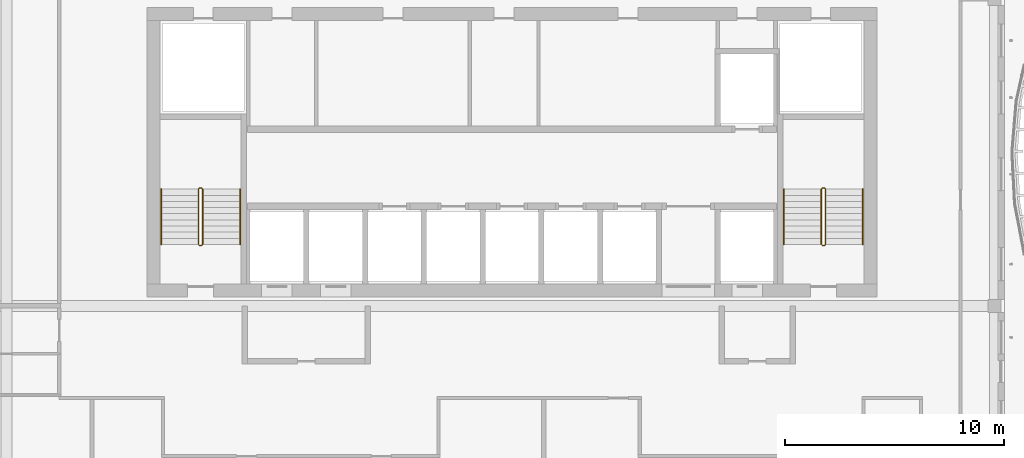
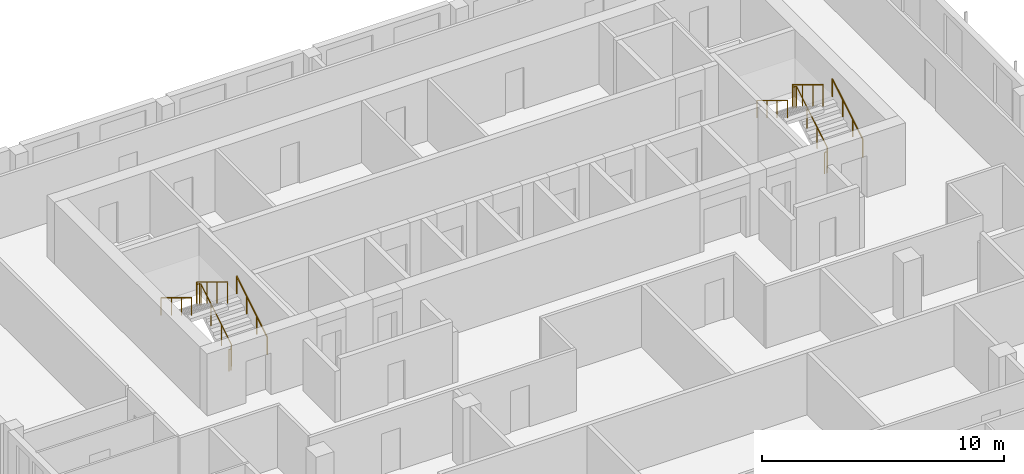
# One storey, part 16 of 17: 6 railings.
"""IFC4 building model written with IfcOpenShell, lengths in metres."""

from ifc_helpers import new_model, si_unit, direction, frame, origin, origin_2d, place, context, subcontext, project, spatial, circle, extrude, material, type_object, element, save


model = new_model("IFC4")

# Units and contexts
model_context = context("Model", 3, precision=1e-05, world=origin(), true_north=direction((0.0, 1.0)))
body_context = subcontext(model_context, "Body", "Model", "MODEL_VIEW")
ifc_project = project(units=[si_unit("LENGTHUNIT", "METRE"), si_unit("AREAUNIT", "SQUARE_METRE"), si_unit("VOLUMEUNIT", "CUBIC_METRE"), si_unit("PLANEANGLEUNIT", "RADIAN"), si_unit("MASSUNIT", "GRAM", prefix="KILO")], contexts=[model_context])

# Site, building, storey
site_placement = place(None, origin())
site = spatial("IfcSite", under=ifc_project, at=site_placement, CompositionType="ELEMENT")
building_placement = place(site_placement, origin())
building = spatial("IfcBuilding", under=site, at=building_placement, Name="Kilnfold Tower and Market Hall", CompositionType="ELEMENT")
storey_placement = place(building_placement, frame((0.0, 0.0, 308.60009765625)))
storey = spatial("IfcBuildingStorey", under=building, at=storey_placement, Name="L77", CompositionType="ELEMENT", Elevation=308.60009765625)

# Railings
ifc_material_1 = material(Name="Stainless steel 316", Category="steel")
railing_type_1 = type_object("IfcRailingType", Name="CORE STAIR GUARD 1100", PredefinedType="GUARDRAIL", material=ifc_material_1)
railing_1_placement = place(storey_placement, frame((-13.199951171875, 10.75, 0.0)))
element("IfcRailing", 1, at=railing_1_placement, inside=storey, type_object=railing_type_1, Name="L77 ST1 stair guard 1", PredefinedType="GUARDRAIL", context=body_context, shape_type="SweptSolid", body=[
    extrude(circle(Radius=0.02392578125, at=origin_2d()), frame((0.0, 0.0, 1.076171875), z_axis=(1.0, 0.0, 0.0), x_axis=(0.0, 1.0, 0.0)), (0.0, 0.0, 1.0), 0.099853515625),
    extrude(circle(Radius=0.02392578125, at=origin_2d()), frame((0.099853515625, 0.0, 1.076171875), z_axis=(0.271895245746, 0.271895245746, 0.923117517265), x_axis=(-0.707106781187, 0.707106781187, 0.0)), (0.0, 0.0, 1.0), 0.18408203125),
    extrude(circle(Radius=0.02392578125, at=origin_2d()), frame((0.14990234375, 0.050048828125, 1.24609375), z_axis=(0.0, 0.85478489116, 0.518982456201), x_axis=(-1.0, 0.0, 0.0)), (0.0, 0.0, 1.0), 2.9482421875),
    extrude(circle(Radius=0.02392578125, at=origin_2d()), frame((0.14990234375, 2.570068359375, 2.77587890625), z_axis=(-0.707106781187, 0.707106781187, 0.0), x_axis=(-0.707106781187, -0.707106781187, 0.0)), (0.0, 0.0, 1.0), 0.07080078125),
    extrude(circle(Radius=0.02392578125, at=origin_2d()), frame((0.099853515625, 2.6201171875, 2.77587890625), z_axis=(-1.0, 0.0, 0.0), x_axis=(0.0, -1.0, 0.0)), (0.0, 0.0, 1.0), 0.099853515625),
    extrude(circle(Radius=0.02392578125, at=origin_2d()), frame((0.0, 2.6201171875, 2.77587890625), z_axis=(-0.271895245746, -0.271895245746, 0.923117517265), x_axis=(0.707106781187, -0.707106781187, 0.0)), (0.0, 0.0, 1.0), 0.18408203125),
    extrude(circle(Radius=0.02392578125, at=origin_2d()), frame((-0.050048828125, 2.570068359375, 2.94580078125), z_axis=(0.0, -0.85478489116, 0.518982456201), x_axis=(1.0, 0.0, 0.0)), (0.0, 0.0, 1.0), 2.9482421875),
    extrude(circle(Radius=0.02099609375, at=origin_2d()), origin(), (0.0, 0.0, 1.0), 1.052001953125),
    extrude(circle(Radius=0.02099609375, at=origin_2d()), frame((0.099853515625, 0.0, 0.0)), (0.0, 0.0, 1.0), 1.052001953125),
    extrude(circle(Radius=0.02099609375, at=origin_2d()), frame((0.14990234375, 0.050048828125, 0.169921875)), (0.0, 0.0, 1.0), 1.052001953125),
    extrude(circle(Radius=0.02099609375, at=origin_2d()), frame((0.14990234375, 0.89013671875, 0.679931640625)), (0.0, 0.0, 1.0), 1.052001953125),
    extrude(circle(Radius=0.02099609375, at=origin_2d()), frame((0.14990234375, 1.72998046875, 1.18994140625)), (0.0, 0.0, 1.0), 1.052001953125),
    extrude(circle(Radius=0.02099609375, at=origin_2d()), frame((0.14990234375, 2.570068359375, 1.699951171875)), (0.0, 0.0, 1.0), 1.052001953125),
    extrude(circle(Radius=0.02099609375, at=origin_2d()), frame((0.099853515625, 2.6201171875, 1.699951171875)), (0.0, 0.0, 1.0), 1.052001953125),
    extrude(circle(Radius=0.02099609375, at=origin_2d()), frame((0.0, 2.6201171875, 1.699951171875)), (0.0, 0.0, 1.0), 1.052001953125),
    extrude(circle(Radius=0.02099609375, at=origin_2d()), frame((-0.050048828125, 2.570068359375, 1.869873046875)), (0.0, 0.0, 1.0), 1.052001953125),
    extrude(circle(Radius=0.02099609375, at=origin_2d()), frame((-0.050048828125, 1.72998046875, 2.3798828125)), (0.0, 0.0, 1.0), 1.052001953125),
    extrude(circle(Radius=0.02099609375, at=origin_2d()), frame((-0.050048828125, 0.89013671875, 2.889892578125)), (0.0, 0.0, 1.0), 1.052001953125),
    extrude(circle(Radius=0.02099609375, at=origin_2d()), frame((-0.050048828125, 0.050048828125, 3.39990234375)), (0.0, 0.0, 1.0), 1.052001953125),
])
railing_2_placement = place(storey_placement, frame((15.199951171875, 10.75, 0.0)))
element("IfcRailing", 2, at=railing_2_placement, inside=storey, type_object=railing_type_1, Name="L77 ST2 stair guard 1", PredefinedType="GUARDRAIL", context=body_context, shape_type="SweptSolid", body=[
    extrude(circle(Radius=0.02392578125, at=origin_2d()), frame((0.0, 0.0, 1.076171875), z_axis=(1.0, 0.0, 0.0), x_axis=(0.0, 1.0, 0.0)), (0.0, 0.0, 1.0), 0.10009765625),
    extrude(circle(Radius=0.02392578125, at=origin_2d()), frame((0.10009765625, 0.0, 1.076171875), z_axis=(0.271895245746, 0.271895245746, 0.923117517265), x_axis=(-0.707106781187, 0.707106781187, 0.0)), (0.0, 0.0, 1.0), 0.18408203125),
    extrude(circle(Radius=0.02392578125, at=origin_2d()), frame((0.150146484375, 0.050048828125, 1.24609375), z_axis=(0.0, 0.85478489116, 0.518982456201), x_axis=(-1.0, 0.0, 0.0)), (0.0, 0.0, 1.0), 2.9482421875),
    extrude(circle(Radius=0.02392578125, at=origin_2d()), frame((0.150146484375, 2.570068359375, 2.77587890625), z_axis=(-0.707106781187, 0.707106781187, 0.0), x_axis=(-0.707106781187, -0.707106781187, 0.0)), (0.0, 0.0, 1.0), 0.07080078125),
    extrude(circle(Radius=0.02392578125, at=origin_2d()), frame((0.10009765625, 2.6201171875, 2.77587890625), z_axis=(-1.0, 0.0, 0.0), x_axis=(0.0, -1.0, 0.0)), (0.0, 0.0, 1.0), 0.10009765625),
    extrude(circle(Radius=0.02392578125, at=origin_2d()), frame((0.0, 2.6201171875, 2.77587890625), z_axis=(-0.271895245746, -0.271895245746, 0.923117517265), x_axis=(0.707106781187, -0.707106781187, 0.0)), (0.0, 0.0, 1.0), 0.18408203125),
    extrude(circle(Radius=0.02392578125, at=origin_2d()), frame((-0.050048828125, 2.570068359375, 2.94580078125), z_axis=(0.0, -0.85478489116, 0.518982456201), x_axis=(1.0, 0.0, 0.0)), (0.0, 0.0, 1.0), 2.9482421875),
    extrude(circle(Radius=0.02099609375, at=origin_2d()), origin(), (0.0, 0.0, 1.0), 1.052001953125),
    extrude(circle(Radius=0.02099609375, at=origin_2d()), frame((0.10009765625, 0.0, 0.0)), (0.0, 0.0, 1.0), 1.052001953125),
    extrude(circle(Radius=0.02099609375, at=origin_2d()), frame((0.150146484375, 0.050048828125, 0.169921875)), (0.0, 0.0, 1.0), 1.052001953125),
    extrude(circle(Radius=0.02099609375, at=origin_2d()), frame((0.150146484375, 0.89013671875, 0.679931640625)), (0.0, 0.0, 1.0), 1.052001953125),
    extrude(circle(Radius=0.02099609375, at=origin_2d()), frame((0.150146484375, 1.72998046875, 1.18994140625)), (0.0, 0.0, 1.0), 1.052001953125),
    extrude(circle(Radius=0.02099609375, at=origin_2d()), frame((0.150146484375, 2.570068359375, 1.699951171875)), (0.0, 0.0, 1.0), 1.052001953125),
    extrude(circle(Radius=0.02099609375, at=origin_2d()), frame((0.10009765625, 2.6201171875, 1.699951171875)), (0.0, 0.0, 1.0), 1.052001953125),
    extrude(circle(Radius=0.02099609375, at=origin_2d()), frame((0.0, 2.6201171875, 1.699951171875)), (0.0, 0.0, 1.0), 1.052001953125),
    extrude(circle(Radius=0.02099609375, at=origin_2d()), frame((-0.050048828125, 2.570068359375, 1.869873046875)), (0.0, 0.0, 1.0), 1.052001953125),
    extrude(circle(Radius=0.02099609375, at=origin_2d()), frame((-0.050048828125, 1.72998046875, 2.3798828125)), (0.0, 0.0, 1.0), 1.052001953125),
    extrude(circle(Radius=0.02099609375, at=origin_2d()), frame((-0.050048828125, 0.89013671875, 2.889892578125)), (0.0, 0.0, 1.0), 1.052001953125),
    extrude(circle(Radius=0.02099609375, at=origin_2d()), frame((-0.050048828125, 0.050048828125, 3.39990234375)), (0.0, 0.0, 1.0), 1.052001953125),
])
ifc_material_2 = material(Name="Stainless steel 316", Category="steel")
railing_type_2 = type_object("IfcRailingType", Name="CORE STAIR HANDRAIL 900", PredefinedType="HANDRAIL", material=ifc_material_2)
railing_3_placement = place(storey_placement, frame((-11.35009765625, 10.800048828125, 0.169921875)))
element("IfcRailing", 3, at=railing_3_placement, inside=storey, type_object=railing_type_2, Name="L77 ST1 stair handrail 1", PredefinedType="HANDRAIL", context=body_context, shape_type="SweptSolid", body=[
    extrude(circle(Radius=0.02392578125, at=origin_2d()), frame((0.0, 0.0, 0.8759765625), z_axis=(0.0, 0.85478489116, 0.518982456201), x_axis=(-1.0, 0.0, 0.0)), (0.0, 0.0, 1.0), 2.9482421875),
    extrude(circle(Radius=0.02099609375, at=origin_2d()), origin(), (0.0, 0.0, 1.0), 0.851806640625),
    extrude(circle(Radius=0.02099609375, at=origin_2d()), frame((0.0, 0.840087890625, 0.510009765625)), (0.0, 0.0, 1.0), 0.851806640625),
    extrude(circle(Radius=0.02099609375, at=origin_2d()), frame((0.0, 1.679931640625, 1.02001953125)), (0.0, 0.0, 1.0), 0.851806640625),
    extrude(circle(Radius=0.02099609375, at=origin_2d()), frame((0.0, 2.52001953125, 1.530029296875)), (0.0, 0.0, 1.0), 0.851806640625),
])
railing_4_placement = place(storey_placement, frame((-14.949951171875, 13.320068359375, 1.869873046875)))
element("IfcRailing", 4, at=railing_4_placement, inside=storey, type_object=railing_type_2, Name="L77 ST1 stair handrail 2", PredefinedType="HANDRAIL", context=body_context, shape_type="SweptSolid", body=[
    extrude(circle(Radius=0.02392578125, at=origin_2d()), frame((0.0, 0.0, 0.8759765625), z_axis=(0.0, -0.85478489116, 0.518982456201), x_axis=(1.0, 0.0, 0.0)), (0.0, 0.0, 1.0), 2.9482421875),
    extrude(circle(Radius=0.02099609375, at=origin_2d()), origin(), (0.0, 0.0, 1.0), 0.851806640625),
    extrude(circle(Radius=0.02099609375, at=origin_2d()), frame((0.0, -0.840087890625, 0.510009765625)), (0.0, 0.0, 1.0), 0.851806640625),
    extrude(circle(Radius=0.02099609375, at=origin_2d()), frame((0.0, -1.679931640625, 1.02001953125)), (0.0, 0.0, 1.0), 0.851806640625),
    extrude(circle(Radius=0.02099609375, at=origin_2d()), frame((0.0, -2.52001953125, 1.530029296875)), (0.0, 0.0, 1.0), 0.851806640625),
])
railing_5_placement = place(storey_placement, frame((17.050048828125, 10.800048828125, 0.169921875)))
element("IfcRailing", 5, at=railing_5_placement, inside=storey, type_object=railing_type_2, Name="L77 ST2 stair handrail 1", PredefinedType="HANDRAIL", context=body_context, shape_type="SweptSolid", body=[
    extrude(circle(Radius=0.02392578125, at=origin_2d()), frame((0.0, 0.0, 0.8759765625), z_axis=(0.0, 0.85478489116, 0.518982456201), x_axis=(-1.0, 0.0, 0.0)), (0.0, 0.0, 1.0), 2.9482421875),
    extrude(circle(Radius=0.02099609375, at=origin_2d()), origin(), (0.0, 0.0, 1.0), 0.851806640625),
    extrude(circle(Radius=0.02099609375, at=origin_2d()), frame((0.0, 0.840087890625, 0.510009765625)), (0.0, 0.0, 1.0), 0.851806640625),
    extrude(circle(Radius=0.02099609375, at=origin_2d()), frame((0.0, 1.679931640625, 1.02001953125)), (0.0, 0.0, 1.0), 0.851806640625),
    extrude(circle(Radius=0.02099609375, at=origin_2d()), frame((0.0, 2.52001953125, 1.530029296875)), (0.0, 0.0, 1.0), 0.851806640625),
])
railing_6_placement = place(storey_placement, frame((13.449951171875, 13.320068359375, 1.869873046875)))
element("IfcRailing", 6, at=railing_6_placement, inside=storey, type_object=railing_type_2, Name="L77 ST2 stair handrail 2", PredefinedType="HANDRAIL", context=body_context, shape_type="SweptSolid", body=[
    extrude(circle(Radius=0.02392578125, at=origin_2d()), frame((0.0, 0.0, 0.8759765625), z_axis=(0.0, -0.85478489116, 0.518982456201), x_axis=(1.0, 0.0, 0.0)), (0.0, 0.0, 1.0), 2.9482421875),
    extrude(circle(Radius=0.02099609375, at=origin_2d()), origin(), (0.0, 0.0, 1.0), 0.851806640625),
    extrude(circle(Radius=0.02099609375, at=origin_2d()), frame((0.0, -0.840087890625, 0.510009765625)), (0.0, 0.0, 1.0), 0.851806640625),
    extrude(circle(Radius=0.02099609375, at=origin_2d()), frame((0.0, -1.679931640625, 1.02001953125)), (0.0, 0.0, 1.0), 0.851806640625),
    extrude(circle(Radius=0.02099609375, at=origin_2d()), frame((0.0, -2.52001953125, 1.530029296875)), (0.0, 0.0, 1.0), 0.851806640625),
])

save(model, "model.ifc")
